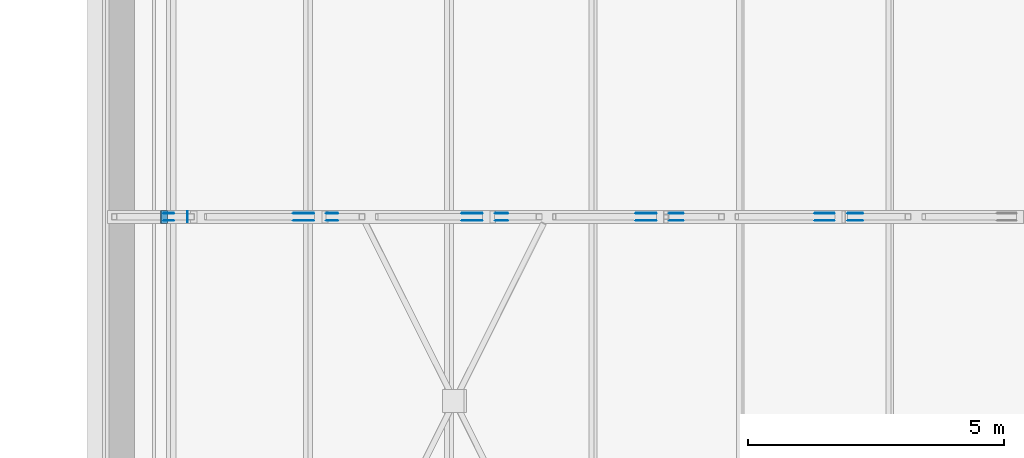
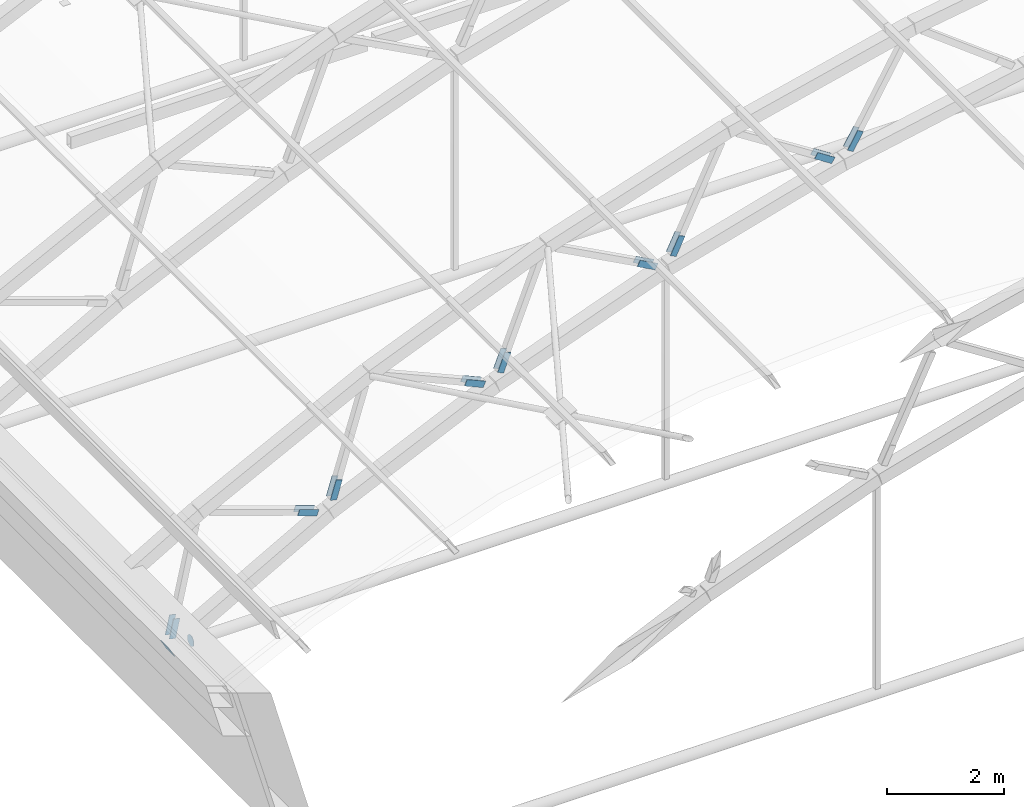
# One storey, part 85 of 127: 20 discrete accessories.
"""IFC4 building model written with IfcOpenShell, lengths in metres."""

from ifc_helpers import new_model, si_unit, direction, frame, origin, origin_2d, place, context, subcontext, project, spatial, rectangle, circle, extrude, material, material_profile, profile_set, type_object, element, save


model = new_model("IFC4")

# Units and contexts
model_context = context("Model", 3, precision=1e-05, world=origin(), true_north=direction((0.0, 1.0)))
body_context = subcontext(model_context, "Body", "Model", "MODEL_VIEW")
ifc_project = project(units=[si_unit("LENGTHUNIT", "METRE"), si_unit("AREAUNIT", "SQUARE_METRE"), si_unit("VOLUMEUNIT", "CUBIC_METRE"), si_unit("PLANEANGLEUNIT", "RADIAN"), si_unit("MASSUNIT", "GRAM", prefix="KILO")], contexts=[model_context])

# Site, building, storey
site_placement = place(None, origin())
site = spatial("IfcSite", under=ifc_project, at=site_placement, CompositionType="ELEMENT")
building_placement = place(site_placement, origin())
building = spatial("IfcBuilding", under=site, at=building_placement, Name="Verrick Yard Athletic Hall", CompositionType="ELEMENT")
storey_placement = place(building_placement, frame((0.0, 0.0, 14.0)))
storey = spatial("IfcBuildingStorey", under=building, at=storey_placement, Name="L03", CompositionType="ELEMENT", Elevation=14.0)

# Discrete accessories
ifc_material = material(Name="Structural steel 350W (CSA G40.21)", Category="steel")
ifc_material_profile_1 = material_profile(ifc_material, rectangle(XDim=0.39990234375, YDim=0.126953125, at=origin_2d()), Name="Brace end cheek plate")
ifc_profile_set_1 = profile_set([ifc_material_profile_1], Name="Structural steel 350W (CSA G40.21)")
discrete_accessory_type_1 = type_object("IfcDiscreteAccessoryType", Name="Brace end cheek plate 400x127x12", PredefinedType="BRACKET", material=ifc_profile_set_1)
discrete_accessory_1_placement = place(storey_placement, frame((28.091064453125, 93.66357421875, 0.416015625), z_axis=(0.0, 1.0, 0.0), x_axis=(0.213605450371, 0.0, 0.976920012883)))
element("IfcDiscreteAccessory", 1, at=discrete_accessory_1_placement, inside=storey, type_object=discrete_accessory_type_1, Name="Truss web end plate TB4-1 1", PredefinedType="BRACKET", context=body_context, shape_type="SweptSolid", body=[
    extrude(rectangle(XDim=0.39990234375, YDim=0.126953125, at=origin_2d()), origin(), (0.0, 0.0, 1.0), 0.011962890625),
])
for number, where, z_axis, x_axis, name in (
    (2, (28.091064453125, 93.53662109375, 0.416015625), (0.0, -1.0, 0.0), (0.213605450371, 0.0, 0.976920012883), "Truss web end plate TB4-1 2"),
    (3, (30.72412109375, 93.53662109375, 1.907470703125), (0.0, -1.0, 0.0), (-0.944025603302, 0.0, 0.32987218784), "Truss web end plate TB4-2 1"),
):
    element("IfcDiscreteAccessory", number, at=place(storey_placement, frame(where, z_axis=z_axis, x_axis=x_axis)), inside=storey, type_object=discrete_accessory_type_1, Name=name, PredefinedType="BRACKET", context=body_context, shape_type="SweptSolid", body=[
        extrude(rectangle(XDim=0.39990234375, YDim=0.126953125, at=origin_2d()), origin(), (0.0, 0.0, 1.0), 0.01220703125),
    ])
for number, where, z_axis, x_axis, name in (
    (4, (30.72412109375, 93.66357421875, 1.907470703125), (0.0, 1.0, 0.0), (-0.944025603302, 0.0, 0.32987218784), "Truss web end plate TB4-2 2"),
    (5, (31.277587890625, 93.66357421875, 2.18896484375), (0.0, 1.0, 0.0), (0.289473335175, 0.0, 0.95718607816), "Truss web end plate TB4-3 1"),
):
    element("IfcDiscreteAccessory", number, at=place(storey_placement, frame(where, z_axis=z_axis, x_axis=x_axis)), inside=storey, type_object=discrete_accessory_type_1, Name=name, PredefinedType="BRACKET", context=body_context, shape_type="SweptSolid", body=[
        extrude(rectangle(XDim=0.39990234375, YDim=0.126953125, at=origin_2d()), origin(), (0.0, 0.0, 1.0), 0.011962890625),
    ])
for number, where, z_axis, x_axis, name in (
    (6, (31.277587890625, 93.53662109375, 2.18896484375), (0.0, -1.0, 0.0), (0.289473335175, 0.0, 0.95718607816), "Truss web end plate TB4-3 2"),
    (7, (34.012939453125, 93.53662109375, 3.447509765625), (0.0, -1.0, 0.0), (-0.915285173692, 0.0, 0.402806468194), "Truss web end plate TB4-4 1"),
):
    element("IfcDiscreteAccessory", number, at=place(storey_placement, frame(where, z_axis=z_axis, x_axis=x_axis)), inside=storey, type_object=discrete_accessory_type_1, Name=name, PredefinedType="BRACKET", context=body_context, shape_type="SweptSolid", body=[
        extrude(rectangle(XDim=0.39990234375, YDim=0.126953125, at=origin_2d()), origin(), (0.0, 0.0, 1.0), 0.01220703125),
    ])
for number, where, z_axis, x_axis, name in (
    (8, (34.012939453125, 93.66357421875, 3.447509765625), (0.0, 1.0, 0.0), (-0.915285173692, 0.0, 0.402806468194), "Truss web end plate TB4-4 2"),
    (9, (34.586669921875, 93.66357421875, 3.684814453125), (0.0, 1.0, 0.0), (0.363562561074, 0.0, 0.931569784925), "Truss web end plate TB4-5 1"),
):
    element("IfcDiscreteAccessory", number, at=place(storey_placement, frame(where, z_axis=z_axis, x_axis=x_axis)), inside=storey, type_object=discrete_accessory_type_1, Name=name, PredefinedType="BRACKET", context=body_context, shape_type="SweptSolid", body=[
        extrude(rectangle(XDim=0.39990234375, YDim=0.126953125, at=origin_2d()), origin(), (0.0, 0.0, 1.0), 0.011962890625),
    ])
for number, where, z_axis, x_axis, name in (
    (10, (34.586669921875, 93.53662109375, 3.684814453125), (0.0, -1.0, 0.0), (0.363562561074, 0.0, 0.931569784925), "Truss web end plate TB4-5 2"),
    (11, (37.412109375, 93.53662109375, 4.725341796875), (0.0, -1.0, 0.0), (-0.880919955637, 0.0, 0.473265286876), "Truss web end plate TB4-6 1"),
):
    element("IfcDiscreteAccessory", number, at=place(storey_placement, frame(where, z_axis=z_axis, x_axis=x_axis)), inside=storey, type_object=discrete_accessory_type_1, Name=name, PredefinedType="BRACKET", context=body_context, shape_type="SweptSolid", body=[
        extrude(rectangle(XDim=0.39990234375, YDim=0.126953125, at=origin_2d()), origin(), (0.0, 0.0, 1.0), 0.01220703125),
    ])
for number, where, z_axis, x_axis, name in (
    (12, (37.412109375, 93.66357421875, 4.725341796875), (0.0, 1.0, 0.0), (-0.880919955637, 0.0, 0.473265286876), "Truss web end plate TB4-6 2"),
    (13, (38.0029296875, 93.66357421875, 4.9169921875), (0.0, 1.0, 0.0), (0.435417263932, 0.0, 0.90022875219), "Truss web end plate TB4-7 1"),
):
    element("IfcDiscreteAccessory", number, at=place(storey_placement, frame(where, z_axis=z_axis, x_axis=x_axis)), inside=storey, type_object=discrete_accessory_type_1, Name=name, PredefinedType="BRACKET", context=body_context, shape_type="SweptSolid", body=[
        extrude(rectangle(XDim=0.39990234375, YDim=0.126953125, at=origin_2d()), origin(), (0.0, 0.0, 1.0), 0.011962890625),
    ])
for number, where, z_axis, x_axis, name in (
    (14, (38.0029296875, 93.53662109375, 4.9169921875), (0.0, -1.0, 0.0), (0.435417263932, 0.0, 0.90022875219), "Truss web end plate TB4-7 2"),
    (15, (40.901123046875, 93.53662109375, 5.73291015625), (0.0, -1.0, 0.0), (-0.841141186405, 0.0, 0.540815591984), "Truss web end plate TB4-8 1"),
):
    element("IfcDiscreteAccessory", number, at=place(storey_placement, frame(where, z_axis=z_axis, x_axis=x_axis)), inside=storey, type_object=discrete_accessory_type_1, Name=name, PredefinedType="BRACKET", context=body_context, shape_type="SweptSolid", body=[
        extrude(rectangle(XDim=0.39990234375, YDim=0.126953125, at=origin_2d()), origin(), (0.0, 0.0, 1.0), 0.01220703125),
    ])
for number, where, z_axis, x_axis, name in (
    (16, (40.901123046875, 93.66357421875, 5.73291015625), (0.0, 1.0, 0.0), (-0.841141186405, 0.0, 0.540815591984), "Truss web end plate TB4-8 2"),
    (17, (41.505126953125, 93.66357421875, 5.877685546875), (0.0, 1.0, 0.0), (0.504596608522, 0.0, 0.863355235502), "Truss web end plate TB4-9 1"),
):
    element("IfcDiscreteAccessory", number, at=place(storey_placement, frame(where, z_axis=z_axis, x_axis=x_axis)), inside=storey, type_object=discrete_accessory_type_1, Name=name, PredefinedType="BRACKET", context=body_context, shape_type="SweptSolid", body=[
        extrude(rectangle(XDim=0.39990234375, YDim=0.126953125, at=origin_2d()), origin(), (0.0, 0.0, 1.0), 0.011962890625),
    ])
discrete_accessory_2_placement = place(storey_placement, frame((41.505126953125, 93.53662109375, 5.877685546875), z_axis=(0.0, -1.0, 0.0), x_axis=(0.504596608522, 0.0, 0.863355235502)))
element("IfcDiscreteAccessory", 18, at=discrete_accessory_2_placement, inside=storey, type_object=discrete_accessory_type_1, Name="Truss web end plate TB4-9 2", PredefinedType="BRACKET", context=body_context, shape_type="SweptSolid", body=[
    extrude(rectangle(XDim=0.39990234375, YDim=0.126953125, at=origin_2d()), origin(), (0.0, 0.0, 1.0), 0.01220703125),
])
ifc_material_profile_2 = material_profile(ifc_material, rectangle(XDim=0.25390625, YDim=0.25390625, at=origin_2d()), Name="STR End cap plate 254x254x9.5")
ifc_profile_set_2 = profile_set([ifc_material_profile_2], Name="Structural steel 350W (CSA G40.21)")
discrete_accessory_type_2 = type_object("IfcDiscreteAccessoryType", Name="STR End cap plate 254x254x9.5", PredefinedType="BRACKET", material=ifc_profile_set_2)
discrete_accessory_3_placement = place(storey_placement, frame((27.9912109375, 93.60009765625, -0.0048828125), z_axis=(0.874157276122, 0.0, 0.485642931179), x_axis=(0.0, 1.0, 0.0)))
element("IfcDiscreteAccessory", 19, at=discrete_accessory_3_placement, inside=storey, type_object=discrete_accessory_type_2, Name="End cap Truss TB4 bottom chord 1 A", PredefinedType="BRACKET", context=body_context, shape_type="SweptSolid", body=[
    extrude(rectangle(XDim=0.25390625, YDim=0.25390625, at=origin_2d()), origin(), (0.0, 0.0, 1.0), 0.010009765625),
])
ifc_material_profile_3 = material_profile(ifc_material, circle(Radius=0.109619140625, at=origin_2d()), Name="STR End cap plate 219x13")
ifc_profile_set_3 = profile_set([ifc_material_profile_3], Name="Structural steel 350W (CSA G40.21)")
discrete_accessory_type_3 = type_object("IfcDiscreteAccessoryType", Name="STR End cap plate 219x13", PredefinedType="BRACKET", material=ifc_profile_set_3)
discrete_accessory_4_placement = place(storey_placement, frame((28.4462890625, 93.60009765625, 0.0), z_axis=(1.0, 0.0, 0.0), x_axis=(0.0, 1.0, 0.0)))
element("IfcDiscreteAccessory", 20, at=discrete_accessory_4_placement, inside=storey, type_object=discrete_accessory_type_3, Name="End cap Truss TB4 tie 1 A", PredefinedType="BRACKET", context=body_context, shape_type="SweptSolid", body=[
    extrude(circle(Radius=0.109619140625, at=origin_2d()), origin(), (0.0, 0.0, 1.0), 0.010009765625),
])

save(model, "model.ifc")
